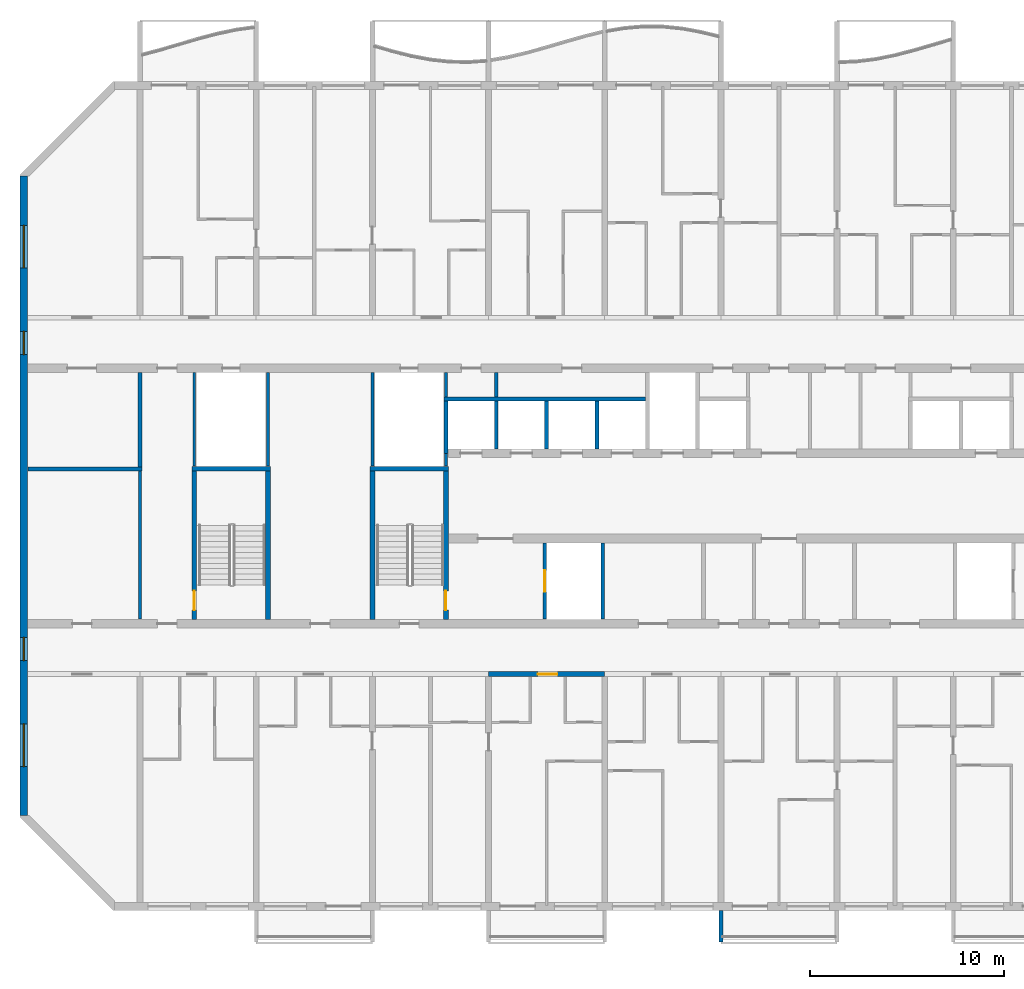
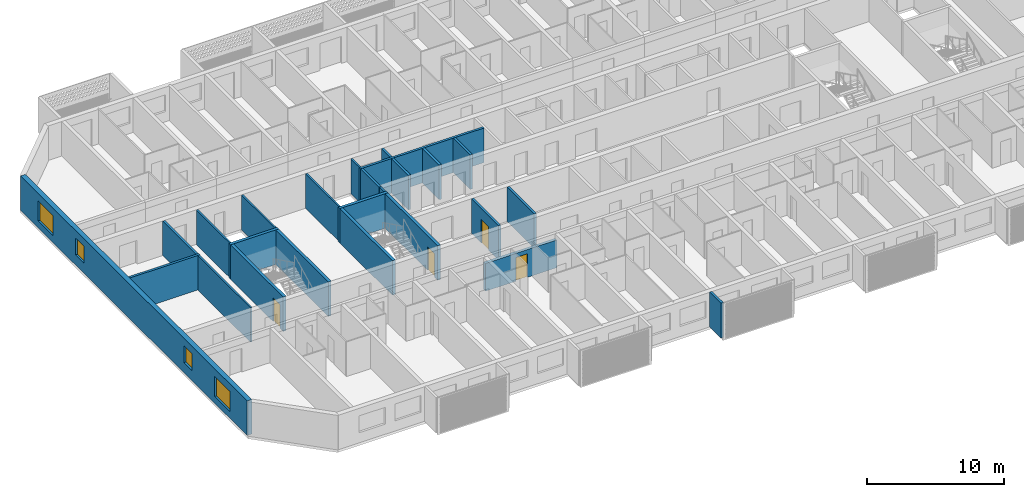
# One storey, part 3 of 33: 25 walls, 4 doors, 4 windows, 8 openings.
"""IFC4 building model written with IfcOpenShell, lengths in metres."""

import ifcopenshell
import ifcopenshell.guid

model = None  # the IFC model being written
_history = None  # IfcOwnerHistory: only IFC2X3 demands one
_inside = {}  # id of a spatial element -> (the spatial element, [elements in it])
_under = {}  # id of a project, library or spatial element -> (it, [spatial elements below it])
_declared = {}  # id of a project -> (the project, [libraries it declares])
_typed = {}  # id of a type object -> (the type object, [elements of that type])
_made_of = {}  # id of a material, layer set ... -> (it, [elements and type objects made of it])


def new_model(schema):
    """Start an empty IFC model of exactly this schema.

    Asked for "IFC4X3", IfcOpenShell would pick the latest addendum, in which some entities
    have other attributes; the version numbers below select the first issue.
    IFC2X3 requires an IfcOwnerHistory on every rooted entity: one is made here for all.
    """
    global model, _history
    if schema == "IFC4X3":
        model = ifcopenshell.file(schema_version=(4, 3, 0, 0))
    else:
        model = ifcopenshell.file(schema=schema)
    _inside.clear()
    _under.clear()
    _declared.clear()
    _typed.clear()
    _made_of.clear()
    _history = None
    if model.schema == "IFC2X3":
        org = make("IfcOrganization", Name="unknown")
        user = make(
            "IfcPersonAndOrganization",
            ThePerson=make("IfcPerson", FamilyName="unknown"),
            TheOrganization=org,
        )
        app = make(
            "IfcApplication",
            ApplicationDeveloper=org,
            Version="unknown",
            ApplicationFullName="unknown",
            ApplicationIdentifier="unknown",
        )
        _history = make(
            "IfcOwnerHistory",
            OwningUser=user,
            OwningApplication=app,
            ChangeAction="ADDED",
            CreationDate=0,
        )
    return model


def make(cls, **values):
    """One entity of the class cls with the attributes given. An attribute that is None is left unset."""
    return model.create_entity(
        cls, **{name: value for name, value in values.items() if value is not None}
    )


def rooted(cls, **values):
    """An entity with a GlobalId (a new one), such as an element, a storey or a relation."""
    return make(cls, GlobalId=ifcopenshell.guid.new(), OwnerHistory=_history, **values)


def si_unit(unit_type, name, prefix=None):
    """IfcSIUnit, for example si_unit("LENGTHUNIT", "METRE", prefix="MILLI")."""
    return make("IfcSIUnit", UnitType=unit_type, Prefix=prefix, Name=name)


def assignment(units):
    """IfcUnitAssignment: the units of a project."""
    return None if units is None else make("IfcUnitAssignment", Units=units)


def point(xyz):
    """IfcCartesianPoint."""
    return None if xyz is None else make("IfcCartesianPoint", Coordinates=xyz)


def direction(xyz):
    """IfcDirection."""
    return None if xyz is None else make("IfcDirection", DirectionRatios=xyz)


def frame(location, z_axis=None, x_axis=None):
    """IfcAxis2Placement3D, a coordinate frame: its origin and axes. An axis left out is left unset."""
    return make(
        "IfcAxis2Placement3D",
        Location=point(location),
        Axis=direction(z_axis),
        RefDirection=direction(x_axis),
    )


def frame_2d(location, x_axis=None):
    """IfcAxis2Placement2D, a coordinate frame in the plane: its origin and x axis."""
    return make(
        "IfcAxis2Placement2D", Location=point(location), RefDirection=direction(x_axis)
    )


def origin():
    """The frame at (0, 0, 0) with its axes left unset."""
    return frame((0.0, 0.0, 0.0))


def place(relative_to, where):
    """IfcLocalPlacement: puts the frame where relative to a parent placement (None: the world)."""
    return make(
        "IfcLocalPlacement", PlacementRelTo=relative_to, RelativePlacement=where
    )


def context(
    kind, dimensions, precision=None, world=None, true_north=None, identifier=None
):
    """IfcGeometricRepresentationContext, for example the 3D "Model" context."""
    return make(
        "IfcGeometricRepresentationContext",
        ContextIdentifier=identifier,
        ContextType=kind,
        CoordinateSpaceDimension=dimensions,
        Precision=precision,
        WorldCoordinateSystem=world,
        TrueNorth=true_north,
    )


def subcontext(parent, identifier, kind, view, scale=None):
    """IfcGeometricRepresentationSubContext, for example "Body" below "Model"."""
    return make(
        "IfcGeometricRepresentationSubContext",
        ContextIdentifier=identifier,
        ContextType=kind,
        ParentContext=parent,
        TargetScale=scale,
        TargetView=view,
    )


def project(units=None, contexts=None):
    """IfcProject with its units and contexts."""
    return rooted(
        "IfcProject",
        Name="project",
        RepresentationContexts=contexts,
        UnitsInContext=assignment(units),
    )


def spatial(cls, under=None, at=None, **own):
    """A site, building, storey or space (cls), placed at a placement, below another one or the project."""
    s = rooted(cls, ObjectPlacement=at, **own)
    if under is not None:
        _under.setdefault(under.id(), (under, []))[1].append(s)
    return s


def polyline(points):
    """IfcPolyline through the points."""
    return make("IfcPolyline", Points=[point(p) for p in points])


def profile(cls, at=None, kind="AREA", **sizes):
    """A parametric profile (cls). Its sizes go by their IFC names, for example OverallWidth=200.0."""
    return make(cls, ProfileType=kind, Position=at, **sizes)


def rectangle(**sizes):
    """IfcRectangleProfileDef."""
    return profile("IfcRectangleProfileDef", **sizes)


def outline(outer, holes=None, kind="AREA"):
    """IfcArbitraryClosedProfileDef: a profile drawn as a closed curve; with holes, ...WithVoids."""
    if holes is None:
        return make("IfcArbitraryClosedProfileDef", ProfileType=kind, OuterCurve=outer)
    return make(
        "IfcArbitraryProfileDefWithVoids",
        ProfileType=kind,
        OuterCurve=outer,
        InnerCurves=holes,
    )


def extrude(swept, where, along, depth):
    """IfcExtrudedAreaSolid: the profile swept, set in the frame where, extruded along a direction by depth."""
    return make(
        "IfcExtrudedAreaSolid",
        SweptArea=swept,
        Position=where,
        ExtrudedDirection=direction(along),
        Depth=depth,
    )


def shape(context_of_items, identifier, shape_type, items):
    """IfcShapeRepresentation: the items that make up one representation, for example the "Body"."""
    return make(
        "IfcShapeRepresentation",
        ContextOfItems=context_of_items,
        RepresentationIdentifier=identifier,
        RepresentationType=shape_type,
        Items=items,
    )


def source(mapping_origin, context_of_items, identifier, shape_type, items):
    """IfcRepresentationMap: a shape defined once, which mapped items show again and again."""
    return make(
        "IfcRepresentationMap",
        MappingOrigin=mapping_origin,
        MappedRepresentation=shape(context_of_items, identifier, shape_type, items),
    )


def transform(
    local_origin,
    x_axis=None,
    y_axis=None,
    z_axis=None,
    scale=None,
    scale2=None,
    scale3=None,
    uniform=True,
):
    """IfcCartesianTransformationOperator3D, or its non-uniform kind. x_axis, y_axis, z_axis: its Axis1, 2, 3."""
    if uniform:
        return make(
            "IfcCartesianTransformationOperator3D",
            Axis1=direction(x_axis),
            Axis2=direction(y_axis),
            LocalOrigin=point(local_origin),
            Scale=scale,
            Axis3=direction(z_axis),
        )
    return make(
        "IfcCartesianTransformationOperator3DnonUniform",
        Axis1=direction(x_axis),
        Axis2=direction(y_axis),
        LocalOrigin=point(local_origin),
        Scale=scale,
        Axis3=direction(z_axis),
        Scale2=scale2,
        Scale3=scale3,
    )


def mapped(mapping_source, mapping_target):
    """IfcMappedItem: shows the shape of a source again, moved by a transform."""
    return make(
        "IfcMappedItem", MappingSource=mapping_source, MappingTarget=mapping_target
    )


def material(Name=None, Category=None):
    """IfcMaterial."""
    return make("IfcMaterial", Name=Name, Category=Category)


def layer(
    of_material, thickness, ventilated=None, Name=None, Category=None, Priority=None
):
    """IfcMaterialLayer: one layer of a wall or slab, of a material (None: an air gap)."""
    return make(
        "IfcMaterialLayer",
        Material=of_material,
        LayerThickness=thickness,
        IsVentilated=ventilated,
        Name=Name,
        Category=Category,
        Priority=Priority,
    )


def layer_set(layers, Name=None):
    """IfcMaterialLayerSet."""
    return make("IfcMaterialLayerSet", MaterialLayers=layers, LayerSetName=Name)


def made_of(thing, what):
    """Note that an element or type object is made of a material, layer set ...; save() writes the relation."""
    if what is not None:
        _made_of.setdefault(what.id(), (what, []))[1].append(thing)
    return thing


def type_object(cls, material=None, **own):
    """A type object (cls), such as IfcWallType, which elements share."""
    return made_of(rooted(cls, **own), material)


def element(
    cls,
    number,
    at=None,
    inside=None,
    cuts=None,
    type_object=None,
    material=None,
    context=None,
    identifier="Body",
    shape_type=None,
    held_by="IfcProductDefinitionShape",
    body=None,
    shapes=None,
    **own,
):
    """One element of the class cls, such as IfcWall. Its Tag is "e" and its number.

    at: its placement. inside: the storey or other place that contains it. cuts: it is an
    opening in that element (IfcRelVoidsElement). A single representation is given by context,
    identifier, shape_type and body (its items); several are given by shapes. held_by: the class
    of the entity that holds the representations. save() writes the other relations.
    """
    e = rooted(cls, Tag="e%d" % number, ObjectPlacement=at, **own)
    if body is not None:
        shapes = [shape(context, identifier, shape_type, body)]
    if shapes is not None:
        e.Representation = make(held_by, Representations=shapes)
    if inside is not None:
        _inside.setdefault(inside.id(), (inside, []))[1].append(e)
    if cuts is not None:
        rooted(
            "IfcRelVoidsElement", RelatingBuildingElement=cuts, RelatedOpeningElement=e
        )
    if type_object is not None:
        _typed.setdefault(type_object.id(), (type_object, []))[1].append(e)
    return made_of(e, material)


def fill(opening, filler):
    """IfcRelFillsElement: the door or window that sits in an opening."""
    return rooted(
        "IfcRelFillsElement",
        RelatingOpeningElement=opening,
        RelatedBuildingElement=filler,
    )


def aggregate(whole, parts):
    """IfcRelAggregates: a whole, such as a stair, and the parts it consists of."""
    return rooted("IfcRelAggregates", RelatingObject=whole, RelatedObjects=parts)


def save(model, path):
    """Write the relations noted so far, then the file.

    IfcRelAggregates (storeys below a building ...), IfcRelContainedInSpatialStructure (elements
    in a storey), IfcRelDefinesByType, IfcRelAssociatesMaterial and IfcRelDeclares: one each for
    every whole, place, type object, material and project.
    """
    for whole, parts in _under.values():
        aggregate(whole, parts)
    for where, things in _inside.values():
        rooted(
            "IfcRelContainedInSpatialStructure",
            RelatedElements=things,
            RelatingStructure=where,
        )
    for kind, things in _typed.values():
        rooted("IfcRelDefinesByType", RelatedObjects=things, RelatingType=kind)
    for what, things in _made_of.values():
        rooted("IfcRelAssociatesMaterial", RelatedObjects=things, RelatingMaterial=what)
    for by, libraries in _declared.values():
        rooted("IfcRelDeclares", RelatingContext=by, RelatedDefinitions=libraries)
    model.write(path)


model = new_model("IFC4")

# Units and contexts
model_context = context("Model", 3, precision=1e-05, world=origin(), true_north=direction((0.0, 1.0)))
body_context = subcontext(model_context, "Body", "Model", "MODEL_VIEW")
ifc_project = project(units=[si_unit("LENGTHUNIT", "METRE"), si_unit("AREAUNIT", "SQUARE_METRE"), si_unit("VOLUMEUNIT", "CUBIC_METRE"), si_unit("PLANEANGLEUNIT", "RADIAN"), si_unit("MASSUNIT", "GRAM", prefix="KILO")], contexts=[model_context])

# Site, building, storey
site_placement = place(None, origin())
site = spatial("IfcSite", under=ifc_project, at=site_placement, CompositionType="ELEMENT")
building_placement = place(site_placement, origin())
building = spatial("IfcBuilding", under=site, at=building_placement, Name="Poui Terraces", CompositionType="ELEMENT")
storey_placement = place(building_placement, frame((0.0, 0.0, 138.89990234375)))
storey = spatial("IfcBuildingStorey", under=building, at=storey_placement, Name="L38", CompositionType="ELEMENT", Elevation=138.89990234375)

# Wall
ifc_material_1 = material(Name="Fire-rated plasterboard wall")
ifc_layer_1 = layer(ifc_material_1, 0.14990234375)
ifc_layer_set_1 = layer_set([ifc_layer_1], Name="Fire-rated plasterboard wall")
wall_type_1 = type_object("IfcWallType", Name="CORRIDOR WALL 150", PredefinedType="PARTITIONING", material=ifc_layer_set_1)
wall_1_placement = place(storey_placement, frame((18.0, 14.8349609375, 0.0), z_axis=(0.0, 0.0, 1.0), x_axis=(0.0, 1.0, 0.0)))
element("IfcWall", 1, at=wall_1_placement, inside=storey, type_object=wall_type_1, Name="CORRIDOR WALL 150", PredefinedType="PARTITIONING", context=body_context, shape_type="SweptSolid", body=[
    extrude(rectangle(XDim=7.6650390625, YDim=0.14990234375, at=frame_2d((3.83251953125, 0.0))), origin(), (0.0, 0.0, 1.0), 3.070068359375),
])

# Wall, opening, door
ifc_material_2 = material(Name="Concrete 65 MPa", Category="concrete")
ifc_layer_2 = layer(ifc_material_2, 0.25)
ifc_layer_set_2 = layer_set([ifc_layer_2], Name="Concrete 65 MPa")
wall_type_2 = type_object("IfcWallType", Name="CORRIDOR WALL 250 65MPa", PredefinedType="SHEAR", material=ifc_layer_set_2)
wall_2_placement = place(storey_placement, frame((36.0, 12.0, 0.0), z_axis=(0.0, 0.0, 1.0), x_axis=(1.0, 0.0, 0.0)))
wall_2 = element("IfcWall", 2, at=wall_2_placement, inside=storey, type_object=wall_type_2, Name="CORRIDOR WALL LINE B BAY 5", PredefinedType="SHEAR", context=body_context, shape_type="SweptSolid", body=[
    extrude(rectangle(XDim=6.0, YDim=0.25, at=frame_2d((3.0, 0.0))), origin(), (0.0, 0.0, 1.0), 2.47021484375),
])
opening_1_placement = place(wall_2_placement, frame((2.550048828125, 0.0, 0.0)))
opening_1 = element("IfcOpeningElement", 3, at=opening_1_placement, cuts=wall_2, Name="Opening FD30S", PredefinedType="OPENING", context=body_context, shape_type="SweptSolid", body=[
    extrude(rectangle(XDim=1.0, YDim=2.10009765625, at=frame_2d((0.5, 1.050048828125))), frame((0.0, 0.135009765625, 0.0), z_axis=(0.0, -1.0, 0.0), x_axis=(1.0, 0.0, 0.0)), (0.0, 0.0, 1.0), 0.27001953125),
])
ifc_material_3 = material(Name="Steel fire door", Category="steel")
door_type_1 = type_object("IfcDoorType", Name="FLAT ENTRANCE DOOR 1000 X 2100", OperationType="NOTDEFINED", PredefinedType="DOOR", material=ifc_material_3)
door_1_placement = place(opening_1_placement, frame((1.0, 0.0, 0.0), z_axis=(0.0, 0.0, 1.0), x_axis=(-1.0, 0.0, 0.0)))
door_1 = element("IfcDoor", 4, at=door_1_placement, inside=storey, type_object=door_type_1, Name="FLAT ENTRANCE DOOR 086", OperationType="SINGLE_SWING_LEFT", OverallHeight=2.10009765625, OverallWidth=1.0, PredefinedType="DOOR", context=body_context, shape_type="SweptSolid", body=[
    extrude(rectangle(XDim=1.0, YDim=2.10009765625, at=frame_2d((0.5, 1.050048828125))), frame((0.0, 0.02490234375, 0.0), z_axis=(0.0, -1.0, 0.0), x_axis=(1.0, 0.0, 0.0)), (0.0, 0.0, 1.0), 0.050048828125),
])
fill(opening_1, door_1)

# Wall, openings, windows
ifc_layer_3 = layer(ifc_material_2, 0.39990234375)
ifc_layer_set_3 = layer_set([ifc_layer_3], Name="Concrete 65 MPa")
wall_type_3 = type_object("IfcWallType", Name="END WALL 400 65MPa", PredefinedType="SHEAR", material=ifc_layer_set_3)
wall_3_placement = place(storey_placement, frame((12.0, 4.682861328125, 0.0), z_axis=(0.0, 0.0, 1.0), x_axis=(0.0, 1.0, 0.0)))
wall_3 = element("IfcWall", 5, at=wall_3_placement, inside=storey, type_object=wall_type_3, Name="END WALL WEST", PredefinedType="SHEAR", context=body_context, shape_type="SweptSolid", body=[
    extrude(rectangle(XDim=33.034423828125, YDim=0.39990234375, at=frame_2d((16.51708984375, 0.0))), origin(), (0.0, 0.0, 1.0), 3.070068359375),
])
opening_2_placement = place(wall_3_placement, frame((23.817138671875, 0.0, 0.89990234375)))
opening_2 = element("IfcOpeningElement", 6, at=opening_2_placement, cuts=wall_3, Name="Opening W2", PredefinedType="OPENING", context=body_context, shape_type="SweptSolid", body=[
    extrude(rectangle(XDim=1.199951171875, YDim=1.5, at=frame_2d((0.60009765625, 0.75))), frame((0.0, 0.2099609375, 0.0), z_axis=(0.0, -1.0, 0.0), x_axis=(1.0, 0.0, 0.0)), (0.0, 0.0, 1.0), 0.419921875),
])
opening_3_placement = place(wall_3_placement, frame((8.01708984375, 0.0, 0.89990234375)))
opening_3 = element("IfcOpeningElement", 7, at=opening_3_placement, cuts=wall_3, Name="Opening W2", PredefinedType="OPENING", context=body_context, shape_type="SweptSolid", body=[
    extrude(rectangle(XDim=1.199951171875, YDim=1.5, at=frame_2d((0.60009765625, 0.75))), frame((0.0, 0.2099609375, 0.0), z_axis=(0.0, -1.0, 0.0), x_axis=(1.0, 0.0, 0.0)), (0.0, 0.0, 1.0), 0.419921875),
])
opening_4_placement = place(wall_3_placement, frame((28.29345703125, 0.0, 0.60009765625)))
opening_4 = element("IfcOpeningElement", 8, at=opening_4_placement, cuts=wall_3, Name="Opening W3", PredefinedType="OPENING", context=body_context, shape_type="SweptSolid", body=[
    extrude(rectangle(XDim=2.199951171875, YDim=1.800048828125, at=frame_2d((1.10009765625, 0.89990234375))), frame((0.0, 0.2099609375, 0.0), z_axis=(0.0, -1.0, 0.0), x_axis=(1.0, 0.0, 0.0)), (0.0, 0.0, 1.0), 0.419921875),
])
opening_5_placement = place(wall_3_placement, frame((2.541015625, 0.0, 0.60009765625)))
opening_5 = element("IfcOpeningElement", 9, at=opening_5_placement, cuts=wall_3, Name="Opening W3", PredefinedType="OPENING", context=body_context, shape_type="SweptSolid", body=[
    extrude(rectangle(XDim=2.199951171875, YDim=1.800048828125, at=frame_2d((1.10009765625, 0.89990234375))), frame((0.0, 0.2099609375, 0.0), z_axis=(0.0, -1.0, 0.0), x_axis=(1.0, 0.0, 0.0)), (0.0, 0.0, 1.0), 0.419921875),
])
ifc_material_4 = material(Name="Clear glass in aluminium frame", Category="aluminium")
window_type_1 = type_object("IfcWindowType", Name="WINDOW 1200X1500", PartitioningType="SINGLE_PANEL", PredefinedType="WINDOW", material=ifc_material_4)
window_1_placement = place(opening_2_placement, origin())
window_1 = element("IfcWindow", 10, at=window_1_placement, inside=storey, type_object=window_type_1, Name="W2 WINDOW", OverallHeight=1.5, OverallWidth=1.199951171875, PartitioningType="SINGLE_PANEL", PredefinedType="WINDOW", context=body_context, shape_type="SweptSolid", body=[
    extrude(rectangle(XDim=1.199951171875, YDim=1.5, at=frame_2d((0.60009765625, 0.75))), frame((0.0, 0.030029296875, 0.0), z_axis=(0.0, -1.0, 0.0), x_axis=(1.0, 0.0, 0.0)), (0.0, 0.0, 1.0), 0.06005859375),
])
fill(opening_2, window_1)
window_2_placement = place(opening_3_placement, origin())
window_2 = element("IfcWindow", 11, at=window_2_placement, inside=storey, type_object=window_type_1, Name="W2 WINDOW", OverallHeight=1.5, OverallWidth=1.199951171875, PartitioningType="SINGLE_PANEL", PredefinedType="WINDOW", context=body_context, shape_type="SweptSolid", body=[
    extrude(rectangle(XDim=1.199951171875, YDim=1.5, at=frame_2d((0.60009765625, 0.75))), frame((0.0, 0.030029296875, 0.0), z_axis=(0.0, -1.0, 0.0), x_axis=(1.0, 0.0, 0.0)), (0.0, 0.0, 1.0), 0.06005859375),
])
fill(opening_3, window_2)
window_type_2 = type_object("IfcWindowType", Name="WINDOW 2200X1800", PartitioningType="DOUBLE_PANEL_HORIZONTAL", PredefinedType="WINDOW", material=ifc_material_4)
window_3_placement = place(opening_4_placement, origin())
window_3 = element("IfcWindow", 12, at=window_3_placement, inside=storey, type_object=window_type_2, Name="W3 WINDOW", OverallHeight=1.800048828125, OverallWidth=2.199951171875, PartitioningType="DOUBLE_PANEL_HORIZONTAL", PredefinedType="WINDOW", context=body_context, shape_type="SweptSolid", body=[
    extrude(rectangle(XDim=2.199951171875, YDim=1.800048828125, at=frame_2d((1.10009765625, 0.89990234375))), frame((0.0, 0.030029296875, 0.0), z_axis=(0.0, -1.0, 0.0), x_axis=(1.0, 0.0, 0.0)), (0.0, 0.0, 1.0), 0.06005859375),
])
fill(opening_4, window_3)
window_4_placement = place(opening_5_placement, origin())
window_4 = element("IfcWindow", 13, at=window_4_placement, inside=storey, type_object=window_type_2, Name="W3 WINDOW", OverallHeight=1.800048828125, OverallWidth=2.199951171875, PartitioningType="DOUBLE_PANEL_HORIZONTAL", PredefinedType="WINDOW", context=body_context, shape_type="SweptSolid", body=[
    extrude(rectangle(XDim=2.199951171875, YDim=1.800048828125, at=frame_2d((1.10009765625, 0.89990234375))), frame((0.0, 0.030029296875, 0.0), z_axis=(0.0, -1.0, 0.0), x_axis=(1.0, 0.0, 0.0)), (0.0, 0.0, 1.0), 0.06005859375),
])
fill(opening_5, window_4)

# Walls
ifc_material_5 = material(Name="Fire-rated masonry wall", Category="masonry")
ifc_layer_4 = layer(ifc_material_5, 0.199951171875)
ifc_layer_set_4 = layer_set([ifc_layer_4], Name="Fire-rated masonry wall")
wall_type_4 = type_object("IfcWallType", Name="PLANT ROOM WALL 200", PredefinedType="PARTITIONING", material=ifc_layer_set_4)
wall_4_placement = place(storey_placement, frame((12.2099609375, 22.60009765625, 0.0), z_axis=(0.0, 0.0, 1.0), x_axis=(1.0, 0.0, 0.0)))
element("IfcWall", 14, at=wall_4_placement, inside=storey, type_object=wall_type_4, Name="PLANT ROOM WALL 200", PredefinedType="PARTITIONING", context=body_context, shape_type="SweptSolid", body=[
    extrude(rectangle(XDim=5.89013671875, YDim=0.199951171875, at=frame_2d((2.945068359375, 0.0))), origin(), (0.0, 0.0, 1.0), 3.070068359375),
])
wall_5_placement = place(storey_placement, frame((18.0, 22.699951171875, 0.0), z_axis=(0.0, 0.0, 1.0), x_axis=(0.0, 1.0, 0.0)))
element("IfcWall", 15, at=wall_5_placement, inside=storey, type_object=wall_type_4, Name="PLANT ROOM WALL 200", PredefinedType="PARTITIONING", context=body_context, shape_type="SweptSolid", body=[
    extrude(rectangle(XDim=4.864990234375, YDim=0.199951171875, at=frame_2d((2.4326171875, 0.0))), origin(), (0.0, 0.0, 1.0), 3.070068359375),
])
wall_6_placement = place(storey_placement, frame((36.39990234375, 26.300048828125, 0.0), z_axis=(0.0, 0.0, 1.0), x_axis=(0.0, 1.0, 0.0)))
element("IfcWall", 16, at=wall_6_placement, inside=storey, type_object=wall_type_4, Name="PLANT ROOM WALL 200", PredefinedType="PARTITIONING", context=body_context, shape_type="SweptSolid", body=[
    extrude(rectangle(XDim=1.264892578125, YDim=0.199951171875, at=frame_2d((0.63232421875, 0.0))), origin(), (0.0, 0.0, 1.0), 3.070068359375),
])
ifc_material_6 = material(Name="Fire-rated plasterboard riser wall")
ifc_layer_5 = layer(ifc_material_6, 0.14990234375)
ifc_layer_set_5 = layer_set([ifc_layer_5], Name="Fire-rated plasterboard riser wall")
wall_type_5 = type_object("IfcWallType", Name="RISER WALL 150", PredefinedType="PARTITIONING", material=ifc_layer_set_5)
for number, where, z_axis, x_axis, name in (
    (17, (20.800048828125, 22.735107421875, 0.0), (0.0, 0.0, 1.0), (0.0, 1.0, 0.0), "RISER WALL 150"),
    (18, (24.60009765625, 22.735107421875, 0.0), (0.0, 0.0, 1.0), (0.0, 1.0, 0.0), "RISER WALL 150"),
    (19, (30.0, 22.735107421875, 0.0), (0.0, 0.0, 1.0), (0.0, 1.0, 0.0), "RISER WALL 150"),
):
    element("IfcWall", number, at=place(storey_placement, frame(where, z_axis=z_axis, x_axis=x_axis)), inside=storey, type_object=wall_type_5, Name=name, PredefinedType="PARTITIONING", context=body_context, shape_type="SweptSolid", body=[
        extrude(rectangle(XDim=4.829833984375, YDim=0.14990234375, at=frame_2d((2.4150390625, 0.0))), origin(), (0.0, 0.0, 1.0), 3.070068359375),
    ])
wall_7_placement = place(storey_placement, frame((33.800048828125, 22.735107421875, 0.0), z_axis=(0.0, 0.0, 1.0), x_axis=(0.0, 1.0, 0.0)))
element("IfcWall", 20, at=wall_7_placement, inside=storey, type_object=wall_type_5, Name="RISER WALL 150", PredefinedType="PARTITIONING", context=body_context, shape_type="SweptSolid", body=[
    extrude(rectangle(XDim=0.664794921875, YDim=0.14990234375, at=frame_2d((0.33251953125, 0.0))), origin(), (0.0, 0.0, 1.0), 3.070068359375),
])
wall_8_placement = place(storey_placement, frame((33.800048828125, 26.300048828125, 0.0), z_axis=(0.0, 0.0, 1.0), x_axis=(0.0, 1.0, 0.0)))
element("IfcWall", 21, at=wall_8_placement, inside=storey, type_object=wall_type_5, Name="RISER WALL 150", PredefinedType="PARTITIONING", context=body_context, shape_type="SweptSolid", body=[
    extrude(rectangle(XDim=1.264892578125, YDim=0.14990234375, at=frame_2d((0.63232421875, 0.0))), origin(), (0.0, 0.0, 1.0), 3.070068359375),
])
ifc_material_7 = material(Name="Fire-rated masonry shaft wall", Category="masonry")
ifc_layer_6 = layer(ifc_material_7, 0.199951171875)
ifc_layer_set_6 = layer_set([ifc_layer_6], Name="Fire-rated masonry shaft wall")
wall_type_6 = type_object("IfcWallType", Name="SHAFT WALL 200", PredefinedType="PARTITIONING", material=ifc_layer_set_6)
wall_9_placement = place(storey_placement, frame((33.699951171875, 26.199951171875, 0.0), z_axis=(0.0, 0.0, 1.0), x_axis=(1.0, 0.0, 0.0)))
element("IfcWall", 22, at=wall_9_placement, inside=storey, type_object=wall_type_6, Name="SHAFT WALL 200", PredefinedType="PARTITIONING", context=body_context, shape_type="SweptSolid", body=[
    extrude(rectangle(XDim=10.400146484375, YDim=0.199951171875, at=frame_2d((5.2001953125, 0.0))), origin(), (0.0, 0.0, 1.0), 3.070068359375),
])
wall_10_placement = place(storey_placement, frame((33.800048828125, 23.39990234375, 0.0), z_axis=(0.0, 0.0, 1.0), x_axis=(0.0, 1.0, 0.0)))
element("IfcWall", 23, at=wall_10_placement, inside=storey, type_object=wall_type_6, Name="SHAFT WALL 200", PredefinedType="PARTITIONING", context=body_context, shape_type="SweptSolid", body=[
    extrude(rectangle(XDim=2.7001953125, YDim=0.199951171875, at=frame_2d((1.35009765625, 0.0))), origin(), (0.0, 0.0, 1.0), 3.070068359375),
])
wall_11_placement = place(storey_placement, frame((36.39990234375, 23.635009765625, 0.0), z_axis=(0.0, 0.0, 1.0), x_axis=(0.0, 1.0, 0.0)))
element("IfcWall", 24, at=wall_11_placement, inside=storey, type_object=wall_type_6, Name="SHAFT WALL 200", PredefinedType="PARTITIONING", context=body_context, shape_type="SweptSolid", body=[
    extrude(rectangle(XDim=2.465087890625, YDim=0.199951171875, at=frame_2d((1.232421875, 0.0))), origin(), (0.0, 0.0, 1.0), 3.070068359375),
])

# Wall, opening, door
wall_12_placement = place(storey_placement, frame((38.89990234375, 14.8349609375, 0.0), z_axis=(0.0, 0.0, 1.0), x_axis=(0.0, 1.0, 0.0)))
wall_12 = element("IfcWall", 25, at=wall_12_placement, inside=storey, type_object=wall_type_6, Name="SHAFT WALL 200", PredefinedType="PARTITIONING", context=body_context, shape_type="SweptSolid", body=[
    extrude(rectangle(XDim=3.929931640625, YDim=0.199951171875, at=frame_2d((1.96484375, 0.0))), origin(), (0.0, 0.0, 1.0), 3.070068359375),
])
opening_6_placement = place(wall_12_placement, frame((1.4150390625, 0.0, 0.0)))
opening_6 = element("IfcOpeningElement", 26, at=opening_6_placement, cuts=wall_12, Name="Opening LD", PredefinedType="OPENING", context=body_context, shape_type="SweptSolid", body=[
    extrude(rectangle(XDim=1.10009765625, YDim=2.10009765625, at=frame_2d((0.550048828125, 1.050048828125))), frame((0.0, 0.10986328125, 0.0), z_axis=(0.0, -1.0, 0.0), x_axis=(1.0, 0.0, 0.0)), (0.0, 0.0, 1.0), 0.219970703125),
])
ifc_material_8 = material(Name="Stainless steel sliding door", Category="steel")
door_type_2 = type_object("IfcDoorType", Name="LIFT LANDING DOOR 1100 X 2100", OperationType="DOUBLE_DOOR_SLIDING", PredefinedType="DOOR", material=ifc_material_8)
door_2_placement = place(opening_6_placement, origin())
door_2 = element("IfcDoor", 27, at=door_2_placement, inside=storey, type_object=door_type_2, Name="LANDING DOOR", OperationType="DOUBLE_DOOR_SLIDING", OverallHeight=2.10009765625, OverallWidth=1.10009765625, PredefinedType="DOOR", context=body_context, shape_type="SweptSolid", body=[
    extrude(rectangle(XDim=1.10009765625, YDim=2.10009765625, at=frame_2d((0.550048828125, 1.050048828125))), frame((0.0, 0.02490234375, 0.0), z_axis=(0.0, -1.0, 0.0), x_axis=(1.0, 0.0, 0.0)), (0.0, 0.0, 1.0), 0.050048828125),
])
fill(opening_6, door_2)

# Walls
for number, where, z_axis, x_axis, name in (
    (28, (39.0, 23.635009765625, 0.0), (0.0, 0.0, 1.0), (0.0, 1.0, 0.0), "SHAFT WALL 200"),
    (29, (41.60009765625, 23.635009765625, 0.0), (0.0, 0.0, 1.0), (0.0, 1.0, 0.0), "SHAFT WALL 200"),
):
    element("IfcWall", number, at=place(storey_placement, frame(where, z_axis=z_axis, x_axis=x_axis)), inside=storey, type_object=wall_type_6, Name=name, PredefinedType="PARTITIONING", context=body_context, shape_type="SweptSolid", body=[
        extrude(rectangle(XDim=2.465087890625, YDim=0.199951171875, at=frame_2d((1.232421875, 0.0))), origin(), (0.0, 0.0, 1.0), 3.070068359375),
    ])
wall_13_placement = place(storey_placement, frame((41.89990234375, 14.8349609375, 0.0), z_axis=(0.0, 0.0, 1.0), x_axis=(0.0, 1.0, 0.0)))
element("IfcWall", 30, at=wall_13_placement, inside=storey, type_object=wall_type_6, Name="SHAFT WALL 200", PredefinedType="PARTITIONING", context=body_context, shape_type="SweptSolid", body=[
    extrude(rectangle(XDim=3.929931640625, YDim=0.199951171875, at=frame_2d((1.96484375, 0.0))), origin(), (0.0, 0.0, 1.0), 3.070068359375),
])
ifc_layer_7 = layer(ifc_material_2, 0.25)
ifc_layer_set_7 = layer_set([ifc_layer_7], Name="Concrete 65 MPa")
wall_type_7 = type_object("IfcWallType", Name="STAIR CORE WALL 250 65 MPA", PredefinedType="SOLIDWALL", material=ifc_layer_set_7)
wall_14_placement = place(storey_placement, frame((30.0, 14.824951171875, 0.0), z_axis=(0.0, 0.0, 1.0), x_axis=(0.0, 1.0, 0.0)))
element("IfcWall", 31, at=wall_14_placement, inside=storey, type_object=wall_type_7, Name="STAIR CORE WALL", PredefinedType="SOLIDWALL", context=body_context, shape_type="SweptSolid", body=[
    extrude(rectangle(XDim=7.650146484375, YDim=0.25, at=frame_2d((3.8251953125, 0.0))), origin(), (0.0, 0.0, 1.0), 3.070068359375),
])

# Wall, opening, door
wall_15_placement = place(storey_placement, frame((33.800048828125, 14.824951171875, 0.0), z_axis=(0.0, 0.0, 1.0), x_axis=(0.0, 1.0, 0.0)))
wall_15 = element("IfcWall", 32, at=wall_15_placement, inside=storey, type_object=wall_type_7, Name="STAIR CORE WALL", PredefinedType="SOLIDWALL", context=body_context, shape_type="SweptSolid", body=[
    extrude(rectangle(XDim=7.650146484375, YDim=0.25, at=frame_2d((3.8251953125, 0.0))), origin(), (0.0, 0.0, 1.0), 3.070068359375),
])
opening_7_placement = place(wall_15_placement, frame((0.47509765625, 0.0, 0.0)))
opening_7 = element("IfcOpeningElement", 33, at=opening_7_placement, cuts=wall_15, Name="Opening FD60S", PredefinedType="OPENING", context=body_context, shape_type="SweptSolid", body=[
    extrude(rectangle(XDim=1.0, YDim=2.10009765625, at=frame_2d((0.5, 1.050048828125))), frame((0.0, 0.135009765625, 0.0), z_axis=(0.0, -1.0, 0.0), x_axis=(1.0, 0.0, 0.0)), (0.0, 0.0, 1.0), 0.27001953125),
])
door_type_3 = type_object("IfcDoorType", Name="STAIR DOOR 1000 X 2100", OperationType="NOTDEFINED", PredefinedType="DOOR", material=ifc_material_3)
door_3_placement = place(opening_7_placement, origin())
door_3 = element("IfcDoor", 34, at=door_3_placement, inside=storey, type_object=door_type_3, Name="STAIR DOOR 119", OperationType="SINGLE_SWING_LEFT", OverallHeight=2.10009765625, OverallWidth=1.0, PredefinedType="DOOR", context=body_context, shape_type="SweptSolid", body=[
    extrude(rectangle(XDim=1.0, YDim=2.10009765625, at=frame_2d((0.5, 1.050048828125))), frame((0.0, 0.02490234375, 0.0), z_axis=(0.0, -1.0, 0.0), x_axis=(1.0, 0.0, 0.0)), (0.0, 0.0, 1.0), 0.050048828125),
])
fill(opening_7, door_3)

# Wall
wall_16_placement = place(storey_placement, frame((29.875, 22.60009765625, 0.0), z_axis=(0.0, 0.0, 1.0), x_axis=(1.0, 0.0, 0.0)))
element("IfcWall", 35, at=wall_16_placement, inside=storey, type_object=wall_type_7, Name="STAIR CORE WALL", PredefinedType="SOLIDWALL", context=body_context, shape_type="SweptSolid", body=[
    extrude(rectangle(XDim=4.050048828125, YDim=0.25, at=frame_2d((2.02490234375, 0.0))), origin(), (0.0, 0.0, 1.0), 3.070068359375),
])

# Wall, opening, door
wall_17_placement = place(storey_placement, frame((20.800048828125, 14.824951171875, 0.0), z_axis=(0.0, 0.0, 1.0), x_axis=(0.0, 1.0, 0.0)))
wall_17 = element("IfcWall", 36, at=wall_17_placement, inside=storey, type_object=wall_type_7, Name="STAIR CORE WALL", PredefinedType="SOLIDWALL", context=body_context, shape_type="SweptSolid", body=[
    extrude(rectangle(XDim=7.650146484375, YDim=0.25, at=frame_2d((3.8251953125, 0.0))), origin(), (0.0, 0.0, 1.0), 3.070068359375),
])
opening_8_placement = place(wall_17_placement, frame((0.47509765625, 0.0, 0.0)))
opening_8 = element("IfcOpeningElement", 37, at=opening_8_placement, cuts=wall_17, Name="Opening FD60S", PredefinedType="OPENING", context=body_context, shape_type="SweptSolid", body=[
    extrude(rectangle(XDim=1.0, YDim=2.10009765625, at=frame_2d((0.5, 1.050048828125))), frame((0.0, 0.135009765625, 0.0), z_axis=(0.0, -1.0, 0.0), x_axis=(1.0, 0.0, 0.0)), (0.0, 0.0, 1.0), 0.27001953125),
])
door_4_placement = place(opening_8_placement, frame((1.0, 0.0, 0.0), z_axis=(0.0, 0.0, 1.0), x_axis=(-1.0, 0.0, 0.0)))
door_4 = element("IfcDoor", 38, at=door_4_placement, inside=storey, type_object=door_type_3, Name="STAIR DOOR 133", OperationType="SINGLE_SWING_RIGHT", OverallHeight=2.10009765625, OverallWidth=1.0, PredefinedType="DOOR", context=body_context, shape_type="SweptSolid", body=[
    extrude(rectangle(XDim=1.0, YDim=2.10009765625, at=frame_2d((0.5, 1.050048828125))), frame((0.0, 0.02490234375, 0.0), z_axis=(0.0, -1.0, 0.0), x_axis=(1.0, 0.0, 0.0)), (0.0, 0.0, 1.0), 0.050048828125),
])
fill(opening_8, door_4)

# Walls
wall_18_placement = place(storey_placement, frame((24.60009765625, 14.824951171875, 0.0), z_axis=(0.0, 0.0, 1.0), x_axis=(0.0, 1.0, 0.0)))
element("IfcWall", 39, at=wall_18_placement, inside=storey, type_object=wall_type_7, Name="STAIR CORE WALL", PredefinedType="SOLIDWALL", context=body_context, shape_type="SweptSolid", body=[
    extrude(rectangle(XDim=7.650146484375, YDim=0.25, at=frame_2d((3.8251953125, 0.0))), origin(), (0.0, 0.0, 1.0), 3.070068359375),
])
wall_19_placement = place(storey_placement, frame((20.675048828125, 22.60009765625, 0.0), z_axis=(0.0, 0.0, 1.0), x_axis=(1.0, 0.0, 0.0)))
element("IfcWall", 40, at=wall_19_placement, inside=storey, type_object=wall_type_7, Name="STAIR CORE WALL", PredefinedType="SOLIDWALL", context=body_context, shape_type="SweptSolid", body=[
    extrude(rectangle(XDim=4.050048828125, YDim=0.25, at=frame_2d((2.02490234375, 0.0))), origin(), (0.0, 0.0, 1.0), 3.070068359375),
])
ifc_material_9 = material(Name="Precast concrete 40 MPa", Category="concrete")
ifc_layer_8 = layer(ifc_material_9, 0.199951171875)
ifc_layer_set_8 = layer_set([ifc_layer_8], Name="Precast concrete 40 MPa")
wall_type_8 = type_object("IfcWallType", Name="REAR FIN 200", PredefinedType="STANDARD", material=ifc_layer_set_8)
shared_shape = source(origin(), body_context, "Body", "SweptSolid", [
    extrude(outline(polyline([(0.0, 0.0), (0.2001953125, 0.0), (0.2001953125, 1.650146484375), (0.0, 1.650146484375), (0.0, 0.0)])), origin(), (0.0, 0.0, 1.0), 3.10009765625),
])
wall_20_placement = place(storey_placement, frame((47.89990234375, -1.85009765625, 0.0)))
element("IfcWall", 41, at=wall_20_placement, inside=storey, type_object=wall_type_8, Name="REAR FIN", PredefinedType="STANDARD", context=body_context, shape_type="MappedRepresentation", body=[
    mapped(shared_shape, transform((0.0, 0.0, 0.0))),
])

save(model, "model.ifc")
